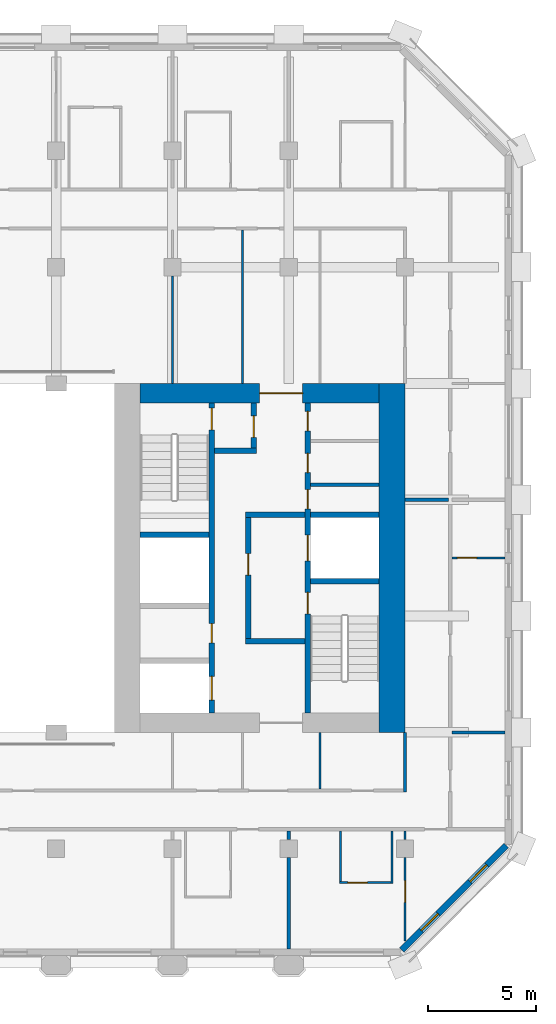
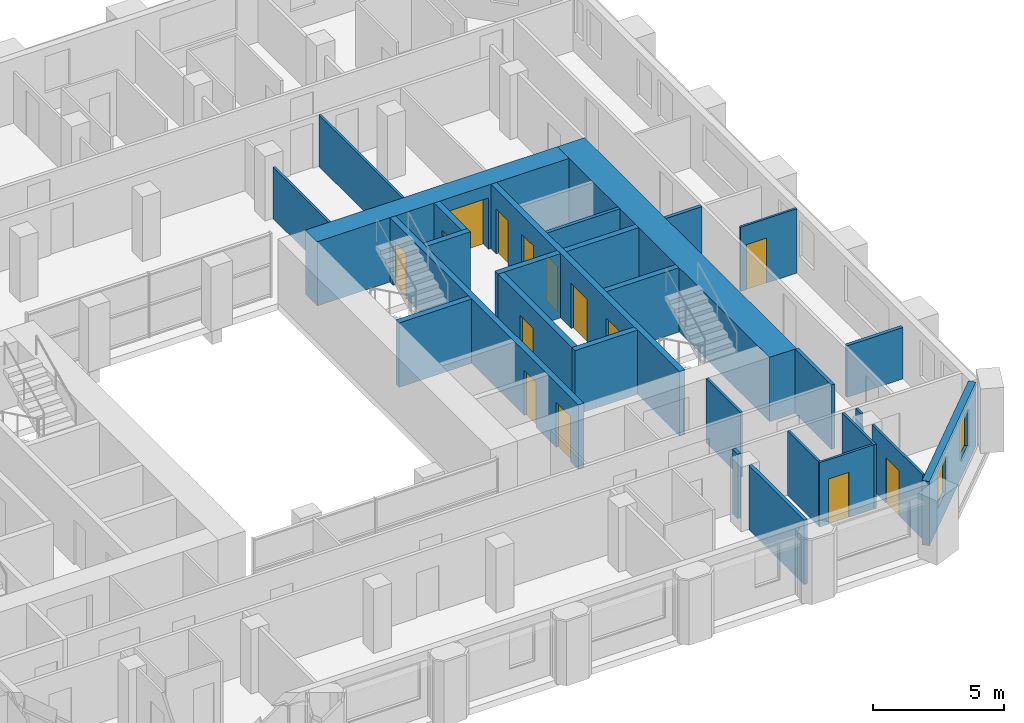
# One storey, part 6 of 12: 28 walls, 14 doors, 2 windows, 16 openings.
"""IFC4 building model written with IfcOpenShell, lengths in metres."""

from ifc_helpers import new_model, si_unit, direction, frame, frame_2d, origin, place, context, subcontext, project, spatial, rectangle, extrude, material, layer, layer_set, type_object, element, fill, save


model = new_model("IFC4")

# Units and contexts
model_context = context("Model", 3, precision=1e-05, world=origin(), true_north=direction((0.0, 1.0)))
body_context = subcontext(model_context, "Body", "Model", "MODEL_VIEW")
ifc_project = project(units=[si_unit("LENGTHUNIT", "METRE"), si_unit("AREAUNIT", "SQUARE_METRE"), si_unit("VOLUMEUNIT", "CUBIC_METRE"), si_unit("PLANEANGLEUNIT", "RADIAN"), si_unit("MASSUNIT", "GRAM", prefix="KILO")], contexts=[model_context])

# Site, building, storey
site_placement = place(None, origin())
site = spatial("IfcSite", under=ifc_project, at=site_placement, CompositionType="ELEMENT")
building_placement = place(site_placement, origin())
building = spatial("IfcBuilding", under=site, at=building_placement, Name="Tabaq Tower and Sports Hall", CompositionType="ELEMENT")
storey_placement = place(building_placement, frame((0.0, 0.0, 197.199951171875)))
storey = spatial("IfcBuildingStorey", under=building, at=storey_placement, Name="L48", CompositionType="ELEMENT", Elevation=197.199951171875)

# Walls
ifc_material_1 = material(Name="Blockwork", Category="masonry")
ifc_layer_1 = layer(ifc_material_1, 0.14990234375)
ifc_layer_set_1 = layer_set([ifc_layer_1], Name="Core room partition 150 Blockwork")
wall_type_1 = type_object("IfcWallType", Name="Core room partition 150 Blockwork", PredefinedType="PARTITIONING", material=ifc_layer_set_1)
wall_1_placement = place(storey_placement, frame((38.800048828125, 27.694091796875, 0.0), z_axis=(0.0, 0.0, 1.0), x_axis=(1.0, 0.0, 0.0)))
element("IfcWall", 1, at=wall_1_placement, inside=storey, type_object=wall_type_1, Name="Core room partition E L48", PredefinedType="PARTITIONING", context=body_context, shape_type="SweptSolid", body=[
    extrude(rectangle(XDim=3.199951171875, YDim=0.14990234375, at=frame_2d((1.60009765625, 0.0))), origin(), (0.0, 0.0, 1.0), 3.0),
])
ifc_material_2 = material(Name="Concrete C50/60", Category="concrete")
ifc_layer_2 = layer(ifc_material_2, 1.199951171875)
ifc_layer_set_2 = layer_set([ifc_layer_2], Name="Core wall 1200 Concrete C50/60")
wall_type_2 = type_object("IfcWallType", Name="Core wall 1200 Concrete C50/60", PredefinedType="SOLIDWALL", material=ifc_layer_set_2)
wall_2_placement = place(storey_placement, frame((42.60009765625, 32.39990234375, 0.0), z_axis=(0.0, 0.0, 1.0), x_axis=(0.0, -1.0, 0.0)))
element("IfcWall", 2, at=wall_2_placement, inside=storey, type_object=wall_type_2, Name="Core wall E L48", PredefinedType="SOLIDWALL", context=body_context, shape_type="SweptSolid", body=[
    extrude(rectangle(XDim=16.199951171875, YDim=1.199951171875, at=frame_2d((8.10009765625, 0.0))), origin(), (0.0, 0.0, 1.0), 3.0),
])

# Wall, opening, door
ifc_material_3 = material(Name="Concrete C50/60", Category="concrete")
ifc_layer_3 = layer(ifc_material_3, 0.89990234375)
ifc_layer_set_3 = layer_set([ifc_layer_3], Name="Core wall 900 Concrete C50/60")
wall_type_3 = type_object("IfcWallType", Name="Core wall 900 Concrete C50/60", PredefinedType="SOLIDWALL", material=ifc_layer_set_3)
wall_3_placement = place(storey_placement, frame((30.89990234375, 31.949951171875, 0.0), z_axis=(0.0, 0.0, 1.0), x_axis=(1.0, 0.0, 0.0)))
wall_3 = element("IfcWall", 3, at=wall_3_placement, inside=storey, type_object=wall_type_3, Name="Core wall E L48", PredefinedType="SOLIDWALL", context=body_context, shape_type="SweptSolid", body=[
    extrude(rectangle(XDim=11.10009765625, YDim=0.89990234375, at=frame_2d((5.550048828125, 0.0))), origin(), (0.0, 0.0, 1.0), 3.0),
])
opening_1_placement = place(wall_3_placement, frame((5.550048828125, 0.0, 0.0)))
opening_1 = element("IfcOpeningElement", 4, at=opening_1_placement, cuts=wall_3, Name="Opening PD-EL48-02", PredefinedType="OPENING", context=body_context, shape_type="SweptSolid", body=[
    extrude(rectangle(XDim=2.0, YDim=2.39990234375, at=frame_2d((1.0, 1.199951171875))), frame((0.0, 0.449951171875, 0.0), z_axis=(0.0, -1.0, 0.0), x_axis=(1.0, 0.0, 0.0)), (0.0, 0.0, 1.0), 0.89990234375),
])
ifc_material_4 = material(Name="Steel fire door", Category="steel")
door_type_1 = type_object("IfcDoorType", Name="Core entrance door 2000", OperationType="DOUBLE_DOOR_SINGLE_SWING", PredefinedType="DOOR", material=ifc_material_4)
door_1_placement = place(opening_1_placement, origin())
door_1 = element("IfcDoor", 5, at=door_1_placement, inside=storey, type_object=door_type_1, Name="Core entrance north E L48", OperationType="DOUBLE_DOOR_SINGLE_SWING", OverallHeight=2.39990234375, OverallWidth=2.0, PredefinedType="DOOR", context=body_context, shape_type="SweptSolid", body=[
    extrude(rectangle(XDim=2.0, YDim=2.39990234375, at=frame_2d((1.0, 1.199951171875))), frame((0.0, 0.02490234375, 0.0), z_axis=(0.0, -1.0, 0.0), x_axis=(1.0, 0.0, 0.0)), (0.0, 0.0, 1.0), 0.050048828125),
])
fill(opening_1, door_1)

# Walls
ifc_material_5 = material(Name="Gypsum board on steel studs", Category="steel")
ifc_layer_4 = layer(ifc_material_5, 0.10009765625)
ifc_layer_set_4 = layer_set([ifc_layer_4], Name="Partition 100 Gypsum board")
wall_type_4 = type_object("IfcWallType", Name="Partition 100 Gypsum board", PredefinedType="PARTITIONING", material=ifc_layer_set_4)
wall_4_placement = place(storey_placement, frame((32.39990234375, 32.39990234375, 0.0), z_axis=(0.0, 0.0, 1.0), x_axis=(0.0, 1.0, 0.0)))
element("IfcWall", 6, at=wall_4_placement, inside=storey, type_object=wall_type_4, Name="Partition wall L48", PredefinedType="PARTITIONING", context=body_context, shape_type="SweptSolid", body=[
    extrude(rectangle(XDim=4.97998046875, YDim=0.10009765625, at=frame_2d((2.489990234375, 0.0))), origin(), (0.0, 0.0, 1.0), 2.400146484375),
])
wall_5_placement = place(storey_placement, frame((35.64990234375, 39.52490234375, 0.0), z_axis=(0.0, 0.0, 1.0), x_axis=(0.0, -1.0, 0.0)))
element("IfcWall", 7, at=wall_5_placement, inside=storey, type_object=wall_type_4, Name="Partition wall L48", PredefinedType="PARTITIONING", context=body_context, shape_type="SweptSolid", body=[
    extrude(rectangle(XDim=7.125, YDim=0.10009765625, at=frame_2d((3.5625, 0.0))), origin(), (0.0, 0.0, 1.0), 2.400146484375),
])

# Wall, opening, door
wall_6_placement = place(storey_placement, frame((43.199951171875, 6.51220703125, 0.0), z_axis=(0.0, 0.0, 1.0), x_axis=(0.0, 1.0, 0.0)))
wall_6 = element("IfcWall", 8, at=wall_6_placement, inside=storey, type_object=wall_type_4, Name="Partition wall L48", PredefinedType="PARTITIONING", context=body_context, shape_type="SweptSolid", body=[
    extrude(rectangle(XDim=3.86767578125, YDim=0.10009765625, at=frame_2d((1.933837890625, 0.0))), origin(), (0.0, 0.0, 1.0), 3.0),
])
opening_2_placement = place(wall_6_placement, frame((1.80029296875, 0.0, 0.0)))
opening_2 = element("IfcOpeningElement", 9, at=opening_2_placement, cuts=wall_6, Name="Opening L48-037", PredefinedType="OPENING", context=body_context, shape_type="SweptSolid", body=[
    extrude(rectangle(XDim=1.0, YDim=2.10009765625, at=frame_2d((0.5, 1.050048828125))), frame((0.0, 0.050048828125, 0.0), z_axis=(0.0, -1.0, 0.0), x_axis=(1.0, 0.0, 0.0)), (0.0, 0.0, 1.0), 0.10009765625),
])
ifc_material_6 = material(Name="Timber leaf in steel frame", Category="steel")
door_type_2 = type_object("IfcDoorType", Name="Internal door 1000 left hand", OperationType="SINGLE_SWING_LEFT", PredefinedType="DOOR", material=ifc_material_6)
door_2_placement = place(opening_2_placement, origin())
door_2 = element("IfcDoor", 10, at=door_2_placement, inside=storey, type_object=door_type_2, Name="Internal door L48-037", OperationType="SINGLE_SWING_LEFT", OverallHeight=2.10009765625, OverallWidth=1.0, PredefinedType="DOOR", context=body_context, shape_type="SweptSolid", body=[
    extrude(rectangle(XDim=1.0, YDim=2.10009765625, at=frame_2d((0.5, 1.050048828125))), frame((0.0, 0.02490234375, 0.0), z_axis=(0.0, -1.0, 0.0), x_axis=(1.0, 0.0, 0.0)), (0.0, 0.0, 1.0), 0.050048828125),
])
fill(opening_2, door_2)

# Walls
wall_7_placement = place(storey_placement, frame((43.199951171875, 11.219970703125, 0.0), z_axis=(0.0, 0.0, 1.0), x_axis=(0.0, 1.0, 0.0)))
element("IfcWall", 11, at=wall_7_placement, inside=storey, type_object=wall_type_4, Name="Partition wall L48", PredefinedType="PARTITIONING", context=body_context, shape_type="SweptSolid", body=[
    extrude(rectangle(XDim=0.405029296875, YDim=0.10009765625, at=frame_2d((0.20263671875, 0.0))), origin(), (0.0, 0.0, 1.0), 3.0),
])
wall_8_placement = place(storey_placement, frame((42.60009765625, 11.625, 0.0), z_axis=(0.0, 0.0, 1.0), x_axis=(0.0, -1.0, 0.0)))
element("IfcWall", 12, at=wall_8_placement, inside=storey, type_object=wall_type_4, Name="Partition wall L48", PredefinedType="PARTITIONING", context=body_context, shape_type="SweptSolid", body=[
    extrude(rectangle(XDim=2.449951171875, YDim=0.10009765625, at=frame_2d((1.22509765625, 0.0))), origin(), (0.0, 0.0, 1.0), 3.0),
])

# Wall, opening, door
wall_9_placement = place(storey_placement, frame((42.550048828125, 9.22509765625, 0.0), z_axis=(0.0, 0.0, 1.0), x_axis=(-1.0, 0.0, 0.0)))
wall_9 = element("IfcWall", 13, at=wall_9_placement, inside=storey, type_object=wall_type_4, Name="Partition wall L48", PredefinedType="PARTITIONING", context=body_context, shape_type="SweptSolid", body=[
    extrude(rectangle(XDim=2.400146484375, YDim=0.10009765625, at=frame_2d((1.2001953125, 0.0))), origin(), (0.0, 0.0, 1.0), 3.0),
])
opening_3_placement = place(wall_9_placement, frame((1.10009765625, 0.0, 0.0)))
opening_3 = element("IfcOpeningElement", 14, at=opening_3_placement, cuts=wall_9, Name="Opening L48-017", PredefinedType="OPENING", context=body_context, shape_type="SweptSolid", body=[
    extrude(rectangle(XDim=0.89990234375, YDim=2.10009765625, at=frame_2d((0.449951171875, 1.050048828125))), frame((0.0, 0.050048828125, 0.0), z_axis=(0.0, -1.0, 0.0), x_axis=(1.0, 0.0, 0.0)), (0.0, 0.0, 1.0), 0.10009765625),
])
ifc_material_7 = material(Name="Timber leaf in steel frame", Category="steel")
door_type_3 = type_object("IfcDoorType", Name="Internal door 900 left hand", OperationType="SINGLE_SWING_LEFT", PredefinedType="DOOR", material=ifc_material_7)
door_3_placement = place(opening_3_placement, origin())
door_3 = element("IfcDoor", 15, at=door_3_placement, inside=storey, type_object=door_type_3, Name="Internal door L48-017", OperationType="SINGLE_SWING_LEFT", OverallHeight=2.10009765625, OverallWidth=0.89990234375, PredefinedType="DOOR", context=body_context, shape_type="SweptSolid", body=[
    extrude(rectangle(XDim=0.89990234375, YDim=2.10009765625, at=frame_2d((0.449951171875, 1.050048828125))), frame((0.0, 0.02490234375, 0.0), z_axis=(0.0, -1.0, 0.0), x_axis=(1.0, 0.0, 0.0)), (0.0, 0.0, 1.0), 0.050048828125),
])
fill(opening_3, door_3)

# Wall
wall_10_placement = place(storey_placement, frame((40.199951171875, 9.27490234375, 0.0), z_axis=(0.0, 0.0, 1.0), x_axis=(0.0, 1.0, 0.0)))
element("IfcWall", 16, at=wall_10_placement, inside=storey, type_object=wall_type_4, Name="Partition wall L48", PredefinedType="PARTITIONING", context=body_context, shape_type="SweptSolid", body=[
    extrude(rectangle(XDim=2.35009765625, YDim=0.10009765625, at=frame_2d((1.175048828125, 0.0))), origin(), (0.0, 0.0, 1.0), 3.0),
])

# Wall, opening, door
wall_11_placement = place(storey_placement, frame((47.84912109375, 24.300048828125, 0.0), z_axis=(0.0, 0.0, 1.0), x_axis=(-1.0, 0.0, 0.0)))
wall_11 = element("IfcWall", 17, at=wall_11_placement, inside=storey, type_object=wall_type_4, Name="Partition wall L48", PredefinedType="PARTITIONING", context=body_context, shape_type="SweptSolid", body=[
    extrude(rectangle(XDim=2.47412109375, YDim=0.10009765625, at=frame_2d((1.237060546875, 0.0))), origin(), (0.0, 0.0, 1.0), 3.0),
])
opening_4_placement = place(wall_11_placement, frame((1.323974609375, 0.0, 0.0)))
opening_4 = element("IfcOpeningElement", 18, at=opening_4_placement, cuts=wall_11, Name="Opening L48-020", PredefinedType="OPENING", context=body_context, shape_type="SweptSolid", body=[
    extrude(rectangle(XDim=0.89990234375, YDim=2.10009765625, at=frame_2d((0.449951171875, 1.050048828125))), frame((0.0, 0.050048828125, 0.0), z_axis=(0.0, -1.0, 0.0), x_axis=(1.0, 0.0, 0.0)), (0.0, 0.0, 1.0), 0.10009765625),
])
ifc_material_8 = material(Name="Timber leaf in steel frame", Category="steel")
door_type_4 = type_object("IfcDoorType", Name="Internal door 900 right hand", OperationType="SINGLE_SWING_RIGHT", PredefinedType="DOOR", material=ifc_material_8)
door_4_placement = place(opening_4_placement, origin())
door_4 = element("IfcDoor", 19, at=door_4_placement, inside=storey, type_object=door_type_4, Name="Internal door L48-020", OperationType="SINGLE_SWING_RIGHT", OverallHeight=2.10009765625, OverallWidth=0.89990234375, PredefinedType="DOOR", context=body_context, shape_type="SweptSolid", body=[
    extrude(rectangle(XDim=0.89990234375, YDim=2.10009765625, at=frame_2d((0.449951171875, 1.050048828125))), frame((0.0, 0.02490234375, 0.0), z_axis=(0.0, -1.0, 0.0), x_axis=(1.0, 0.0, 0.0)), (0.0, 0.0, 1.0), 0.050048828125),
])
fill(opening_4, door_4)

# Walls
wall_12_placement = place(storey_placement, frame((39.25, 13.574951171875, 0.0), z_axis=(0.0, 0.0, 1.0), x_axis=(0.0, 1.0, 0.0)))
element("IfcWall", 20, at=wall_12_placement, inside=storey, type_object=wall_type_4, Name="Partition wall L48", PredefinedType="PARTITIONING", context=body_context, shape_type="SweptSolid", body=[
    extrude(rectangle(XDim=2.625, YDim=0.10009765625, at=frame_2d((1.3125, 0.0))), origin(), (0.0, 0.0, 1.0), 3.0),
])
ifc_material_9 = material(Name="Blockwork", Category="masonry")
ifc_layer_5 = layer(ifc_material_9, 0.14990234375)
ifc_layer_set_5 = layer_set([ifc_layer_5], Name="Separating wall 150 Blockwork")
wall_type_5 = type_object("IfcWallType", Name="Separating wall 150 Blockwork", PredefinedType="PARTITIONING", material=ifc_layer_set_5)
wall_13_placement = place(storey_placement, frame((43.199951171875, 27.0, 0.0), z_axis=(0.0, 0.0, 1.0), x_axis=(1.0, 0.0, 0.0)))
element("IfcWall", 21, at=wall_13_placement, inside=storey, type_object=wall_type_5, Name="Separating wall L48", PredefinedType="PARTITIONING", context=body_context, shape_type="SweptSolid", body=[
    extrude(rectangle(XDim=2.025146484375, YDim=0.14990234375, at=frame_2d((1.0126953125, 0.0))), origin(), (0.0, 0.0, 1.0), 2.400146484375),
])
wall_14_placement = place(storey_placement, frame((47.84912109375, 16.199951171875, 0.0), z_axis=(0.0, 0.0, 1.0), x_axis=(-1.0, 0.0, 0.0)))
element("IfcWall", 22, at=wall_14_placement, inside=storey, type_object=wall_type_5, Name="Separating wall L48", PredefinedType="PARTITIONING", context=body_context, shape_type="SweptSolid", body=[
    extrude(rectangle(XDim=2.47412109375, YDim=0.14990234375, at=frame_2d((1.237060546875, 0.0))), origin(), (0.0, 0.0, 1.0), 2.400146484375),
])
wall_15_placement = place(storey_placement, frame((37.800048828125, 6.15087890625, 0.0), z_axis=(0.0, 0.0, 1.0), x_axis=(0.0, 1.0, 0.0)))
element("IfcWall", 23, at=wall_15_placement, inside=storey, type_object=wall_type_5, Name="Separating wall L48", PredefinedType="PARTITIONING", context=body_context, shape_type="SweptSolid", body=[
    extrude(rectangle(XDim=4.22900390625, YDim=0.14990234375, at=frame_2d((2.114501953125, 0.0))), origin(), (0.0, 0.0, 1.0), 3.0),
])
wall_16_placement = place(storey_placement, frame((37.800048828125, 11.219970703125, 0.0), z_axis=(0.0, 0.0, 1.0), x_axis=(0.0, 1.0, 0.0)))
element("IfcWall", 24, at=wall_16_placement, inside=storey, type_object=wall_type_5, Name="Separating wall L48", PredefinedType="PARTITIONING", context=body_context, shape_type="SweptSolid", body=[
    extrude(rectangle(XDim=0.405029296875, YDim=0.14990234375, at=frame_2d((0.20263671875, 0.0))), origin(), (0.0, 0.0, 1.0), 3.0),
])
wall_17_placement = place(storey_placement, frame((43.199951171875, 16.199951171875, 0.0), z_axis=(0.0, 0.0, 1.0), x_axis=(0.0, -1.0, 0.0)))
element("IfcWall", 25, at=wall_17_placement, inside=storey, type_object=wall_type_5, Name="Separating wall L48", PredefinedType="PARTITIONING", context=body_context, shape_type="SweptSolid", body=[
    extrude(rectangle(XDim=2.77490234375, YDim=0.14990234375, at=frame_2d((1.387451171875, 0.0))), origin(), (0.0, 0.0, 1.0), 3.0),
])

# Wall, openings, doors
ifc_material_10 = material(Name="Concrete C40/50", Category="concrete")
ifc_layer_6 = layer(ifc_material_10, 0.25)
ifc_layer_set_6 = layer_set([ifc_layer_6], Name="Shaft and stair wall 250 Concrete C40/50")
wall_type_6 = type_object("IfcWallType", Name="Shaft and stair wall 250 Concrete C40/50", PredefinedType="SOLIDWALL", material=ifc_layer_set_6)
wall_18_placement = place(storey_placement, frame((38.675048828125, 17.10009765625, 0.0), z_axis=(0.0, 0.0, 1.0), x_axis=(0.0, 1.0, 0.0)))
wall_18 = element("IfcWall", 26, at=wall_18_placement, inside=storey, type_object=wall_type_6, Name="Shaft wall E L48", PredefinedType="SOLIDWALL", context=body_context, shape_type="SweptSolid", body=[
    extrude(rectangle(XDim=14.39990234375, YDim=0.25, at=frame_2d((7.199951171875, 0.0))), origin(), (0.0, 0.0, 1.0), 3.0),
])
opening_5_placement = place(wall_18_placement, frame((4.60009765625, 0.0, 0.0)))
opening_5 = element("IfcOpeningElement", 27, at=opening_5_placement, cuts=wall_18, Name="Opening SD-EL48-03", PredefinedType="OPENING", context=body_context, shape_type="SweptSolid", body=[
    extrude(rectangle(XDim=1.0, YDim=2.10009765625, at=frame_2d((0.5, 1.050048828125))), frame((0.0, 0.125, 0.0), z_axis=(0.0, -1.0, 0.0), x_axis=(1.0, 0.0, 0.0)), (0.0, 0.0, 1.0), 0.25),
])
opening_6_placement = place(wall_18_placement, frame((7.0625, 0.0, 0.0)))
opening_6 = element("IfcOpeningElement", 28, at=opening_6_placement, cuts=wall_18, Name="Opening LD-FF2-L48", PredefinedType="OPENING", context=body_context, shape_type="SweptSolid", body=[
    extrude(rectangle(XDim=1.199951171875, YDim=2.10009765625, at=frame_2d((0.60009765625, 1.050048828125))), frame((0.0, 0.125, 0.0), z_axis=(0.0, -1.0, 0.0), x_axis=(1.0, 0.0, 0.0)), (0.0, 0.0, 1.0), 0.25),
])
opening_7_placement = place(wall_18_placement, frame((9.471923828125, 0.0, 0.0)))
opening_7 = element("IfcOpeningElement", 29, at=opening_7_placement, cuts=wall_18, Name="Opening RD-EL48-09", PredefinedType="OPENING", context=body_context, shape_type="SweptSolid", body=[
    extrude(rectangle(XDim=0.89990234375, YDim=2.10009765625, at=frame_2d((0.449951171875, 1.050048828125))), frame((0.0, 0.125, 0.0), z_axis=(0.0, -1.0, 0.0), x_axis=(1.0, 0.0, 0.0)), (0.0, 0.0, 1.0), 0.25),
])
opening_8_placement = place(wall_18_placement, frame((11.158935546875, 0.0, 0.0)))
opening_8 = element("IfcOpeningElement", 30, at=opening_8_placement, cuts=wall_18, Name="Opening RD-EL48-10", PredefinedType="OPENING", context=body_context, shape_type="SweptSolid", body=[
    extrude(rectangle(XDim=0.89990234375, YDim=2.10009765625, at=frame_2d((0.449951171875, 1.050048828125))), frame((0.0, 0.125, 0.0), z_axis=(0.0, -1.0, 0.0), x_axis=(1.0, 0.0, 0.0)), (0.0, 0.0, 1.0), 0.25),
])
opening_9_placement = place(wall_18_placement, frame((13.099609375, 0.0, 0.0)))
opening_9 = element("IfcOpeningElement", 31, at=opening_9_placement, cuts=wall_18, Name="Opening RD-EL48-11", PredefinedType="OPENING", context=body_context, shape_type="SweptSolid", body=[
    extrude(rectangle(XDim=0.89990234375, YDim=2.10009765625, at=frame_2d((0.449951171875, 1.050048828125))), frame((0.0, 0.125, 0.0), z_axis=(0.0, -1.0, 0.0), x_axis=(1.0, 0.0, 0.0)), (0.0, 0.0, 1.0), 0.25),
])
ifc_material_11 = material(Name="Steel fire door", Category="steel")
door_type_5 = type_object("IfcDoorType", Name="Core room door 900", OperationType="SINGLE_SWING_LEFT", PredefinedType="DOOR", material=ifc_material_11)
door_5_placement = place(opening_7_placement, origin())
door_5 = element("IfcDoor", 32, at=door_5_placement, inside=storey, type_object=door_type_5, Name="Door Electrical Riser Room E L48", OperationType="SINGLE_SWING_LEFT", OverallHeight=2.10009765625, OverallWidth=0.89990234375, PredefinedType="DOOR", context=body_context, shape_type="SweptSolid", body=[
    extrude(rectangle(XDim=0.89990234375, YDim=2.10009765625, at=frame_2d((0.449951171875, 1.050048828125))), frame((0.0, 0.02490234375, 0.0), z_axis=(0.0, -1.0, 0.0), x_axis=(1.0, 0.0, 0.0)), (0.0, 0.0, 1.0), 0.050048828125),
])
fill(opening_7, door_5)
door_6_placement = place(opening_8_placement, origin())
door_6 = element("IfcDoor", 33, at=door_6_placement, inside=storey, type_object=door_type_5, Name="Door Unisex WC E L48", OperationType="SINGLE_SWING_LEFT", OverallHeight=2.10009765625, OverallWidth=0.89990234375, PredefinedType="DOOR", context=body_context, shape_type="SweptSolid", body=[
    extrude(rectangle(XDim=0.89990234375, YDim=2.10009765625, at=frame_2d((0.449951171875, 1.050048828125))), frame((0.0, 0.02490234375, 0.0), z_axis=(0.0, -1.0, 0.0), x_axis=(1.0, 0.0, 0.0)), (0.0, 0.0, 1.0), 0.050048828125),
])
fill(opening_8, door_6)
door_7_placement = place(opening_9_placement, origin())
door_7 = element("IfcDoor", 34, at=door_7_placement, inside=storey, type_object=door_type_5, Name="Door Accessible WC E L48", OperationType="SINGLE_SWING_LEFT", OverallHeight=2.10009765625, OverallWidth=0.89990234375, PredefinedType="DOOR", context=body_context, shape_type="SweptSolid", body=[
    extrude(rectangle(XDim=0.89990234375, YDim=2.10009765625, at=frame_2d((0.449951171875, 1.050048828125))), frame((0.0, 0.02490234375, 0.0), z_axis=(0.0, -1.0, 0.0), x_axis=(1.0, 0.0, 0.0)), (0.0, 0.0, 1.0), 0.050048828125),
])
fill(opening_9, door_7)
ifc_material_12 = material(Name="Stainless steel", Category="steel")
door_type_6 = type_object("IfcDoorType", Name="Lift landing door 1200", OperationType="DOUBLE_DOOR_SLIDING", PredefinedType="DOOR", material=ifc_material_12)
door_8_placement = place(opening_6_placement, origin())
door_8 = element("IfcDoor", 35, at=door_8_placement, inside=storey, type_object=door_type_6, Name="Lift landing door FF2 E L48", OperationType="DOUBLE_DOOR_SLIDING", OverallHeight=2.10009765625, OverallWidth=1.199951171875, PredefinedType="DOOR", context=body_context, shape_type="SweptSolid", body=[
    extrude(rectangle(XDim=1.199951171875, YDim=2.10009765625, at=frame_2d((0.60009765625, 1.050048828125))), frame((0.0, 0.02490234375, 0.0), z_axis=(0.0, -1.0, 0.0), x_axis=(1.0, 0.0, 0.0)), (0.0, 0.0, 1.0), 0.050048828125),
])
fill(opening_6, door_8)
ifc_material_13 = material(Name="Steel fire door", Category="steel")
door_type_7 = type_object("IfcDoorType", Name="Stair door 1000", OperationType="SINGLE_SWING_LEFT", PredefinedType="DOOR", material=ifc_material_13)
door_9_placement = place(opening_5_placement, origin())
door_9 = element("IfcDoor", 36, at=door_9_placement, inside=storey, type_object=door_type_7, Name="Stair door ST3 E L48", OperationType="SINGLE_SWING_LEFT", OverallHeight=2.10009765625, OverallWidth=1.0, PredefinedType="DOOR", context=body_context, shape_type="SweptSolid", body=[
    extrude(rectangle(XDim=1.0, YDim=2.10009765625, at=frame_2d((0.5, 1.050048828125))), frame((0.0, 0.02490234375, 0.0), z_axis=(0.0, -1.0, 0.0), x_axis=(1.0, 0.0, 0.0)), (0.0, 0.0, 1.0), 0.050048828125),
])
fill(opening_5, door_9)

wall_19_placement = place(storey_placement, frame((34.22509765625, 17.10009765625, 0.0), z_axis=(0.0, 0.0, 1.0), x_axis=(0.0, 1.0, 0.0)))
wall_19 = element("IfcWall", 37, at=wall_19_placement, inside=storey, type_object=wall_type_6, Name="Shaft wall E L48", PredefinedType="SOLIDWALL", context=body_context, shape_type="SweptSolid", body=[
    extrude(rectangle(XDim=14.39990234375, YDim=0.25, at=frame_2d((7.199951171875, 0.0))), origin(), (0.0, 0.0, 1.0), 3.0),
])
opening_10_placement = place(wall_19_placement, frame((13.14990234375, 0.0, 0.0)))
opening_10 = element("IfcOpeningElement", 38, at=opening_10_placement, cuts=wall_19, Name="Opening SD-EL48-05", PredefinedType="OPENING", context=body_context, shape_type="SweptSolid", body=[
    extrude(rectangle(XDim=1.0, YDim=2.10009765625, at=frame_2d((0.5, 1.050048828125))), frame((0.0, 0.125, 0.0), z_axis=(0.0, -1.0, 0.0), x_axis=(1.0, 0.0, 0.0)), (0.0, 0.0, 1.0), 0.25),
])
opening_11_placement = place(wall_19_placement, frame((0.60009765625, 0.0, 0.0)))
opening_11 = element("IfcOpeningElement", 39, at=opening_11_placement, cuts=wall_19, Name="Opening LD-MR2-L48", PredefinedType="OPENING", context=body_context, shape_type="SweptSolid", body=[
    extrude(rectangle(XDim=1.10009765625, YDim=2.10009765625, at=frame_2d((0.550048828125, 1.050048828125))), frame((0.0, 0.125, 0.0), z_axis=(0.0, -1.0, 0.0), x_axis=(1.0, 0.0, 0.0)), (0.0, 0.0, 1.0), 0.25),
])
opening_12_placement = place(wall_19_placement, frame((3.25, 0.0, 0.0)))
opening_12 = element("IfcOpeningElement", 40, at=opening_12_placement, cuts=wall_19, Name="Opening RD-EL48-12", PredefinedType="OPENING", context=body_context, shape_type="SweptSolid", body=[
    extrude(rectangle(XDim=0.89990234375, YDim=2.10009765625, at=frame_2d((0.449951171875, 1.050048828125))), frame((0.0, 0.125, 0.0), z_axis=(0.0, -1.0, 0.0), x_axis=(1.0, 0.0, 0.0)), (0.0, 0.0, 1.0), 0.25),
])
door_10_placement = place(opening_12_placement, origin())
door_10 = element("IfcDoor", 41, at=door_10_placement, inside=storey, type_object=door_type_5, Name="Door Cleaner's Store E L48", OperationType="SINGLE_SWING_LEFT", OverallHeight=2.10009765625, OverallWidth=0.89990234375, PredefinedType="DOOR", context=body_context, shape_type="SweptSolid", body=[
    extrude(rectangle(XDim=0.89990234375, YDim=2.10009765625, at=frame_2d((0.449951171875, 1.050048828125))), frame((0.0, 0.02490234375, 0.0), z_axis=(0.0, -1.0, 0.0), x_axis=(1.0, 0.0, 0.0)), (0.0, 0.0, 1.0), 0.050048828125),
])
fill(opening_12, door_10)
ifc_material_14 = material(Name="Stainless steel", Category="steel")
door_type_8 = type_object("IfcDoorType", Name="Lift landing door 1100", OperationType="DOUBLE_DOOR_SLIDING", PredefinedType="DOOR", material=ifc_material_14)
door_11_placement = place(opening_11_placement, origin())
door_11 = element("IfcDoor", 42, at=door_11_placement, inside=storey, type_object=door_type_8, Name="Lift landing door MR2 E L48", OperationType="DOUBLE_DOOR_SLIDING", OverallHeight=2.10009765625, OverallWidth=1.10009765625, PredefinedType="DOOR", context=body_context, shape_type="SweptSolid", body=[
    extrude(rectangle(XDim=1.10009765625, YDim=2.10009765625, at=frame_2d((0.550048828125, 1.050048828125))), frame((0.0, 0.02490234375, 0.0), z_axis=(0.0, -1.0, 0.0), x_axis=(1.0, 0.0, 0.0)), (0.0, 0.0, 1.0), 0.050048828125),
])
fill(opening_11, door_11)
door_12_placement = place(opening_10_placement, origin())
door_12 = element("IfcDoor", 43, at=door_12_placement, inside=storey, type_object=door_type_7, Name="Stair door ST4 E L48", OperationType="SINGLE_SWING_LEFT", OverallHeight=2.10009765625, OverallWidth=1.0, PredefinedType="DOOR", context=body_context, shape_type="SweptSolid", body=[
    extrude(rectangle(XDim=1.0, YDim=2.10009765625, at=frame_2d((0.5, 1.050048828125))), frame((0.0, 0.02490234375, 0.0), z_axis=(0.0, -1.0, 0.0), x_axis=(1.0, 0.0, 0.0)), (0.0, 0.0, 1.0), 0.050048828125),
])
fill(opening_10, door_12)

# Walls
wall_20_placement = place(storey_placement, frame((38.800048828125, 23.22509765625, 0.0), z_axis=(0.0, 0.0, 1.0), x_axis=(1.0, 0.0, 0.0)))
element("IfcWall", 44, at=wall_20_placement, inside=storey, type_object=wall_type_6, Name="Stair enclosure wall E L48", PredefinedType="SOLIDWALL", context=body_context, shape_type="SweptSolid", body=[
    extrude(rectangle(XDim=3.199951171875, YDim=0.25, at=frame_2d((1.60009765625, 0.0))), origin(), (0.0, 0.0, 1.0), 3.0),
])
wall_21_placement = place(storey_placement, frame((30.89990234375, 25.375, 0.0), z_axis=(0.0, 0.0, 1.0), x_axis=(1.0, 0.0, 0.0)))
element("IfcWall", 45, at=wall_21_placement, inside=storey, type_object=wall_type_6, Name="Stair enclosure wall E L48", PredefinedType="SOLIDWALL", context=body_context, shape_type="SweptSolid", body=[
    extrude(rectangle(XDim=3.2001953125, YDim=0.25, at=frame_2d((1.60009765625, 0.0))), origin(), (0.0, 0.0, 1.0), 3.0),
])
wall_22_placement = place(storey_placement, frame((38.800048828125, 26.300048828125, 0.0), z_axis=(0.0, 0.0, 1.0), x_axis=(1.0, 0.0, 0.0)))
element("IfcWall", 46, at=wall_22_placement, inside=storey, type_object=wall_type_6, Name="Shaft wall E L48", PredefinedType="SOLIDWALL", context=body_context, shape_type="SweptSolid", body=[
    extrude(rectangle(XDim=3.199951171875, YDim=0.25, at=frame_2d((1.60009765625, 0.0))), origin(), (0.0, 0.0, 1.0), 3.0),
])
for number, where, z_axis, x_axis, name in (
    (47, (35.800048828125, 26.300048828125, 0.0), (0.0, 0.0, 1.0), (1.0, 0.0, 0.0), "Fire-fighting lobby wall E L48"),
    (48, (35.800048828125, 20.425048828125, 0.0), (0.0, 0.0, 1.0), (1.0, 0.0, 0.0), "Fire-fighting lobby wall E L48"),
):
    element("IfcWall", number, at=place(storey_placement, frame(where, z_axis=z_axis, x_axis=x_axis)), inside=storey, type_object=wall_type_6, Name=name, PredefinedType="SOLIDWALL", context=body_context, shape_type="SweptSolid", body=[
        extrude(rectangle(XDim=2.75, YDim=0.25, at=frame_2d((1.375, 0.0))), origin(), (0.0, 0.0, 1.0), 3.0),
    ])

# Wall, opening, door
wall_23_placement = place(storey_placement, frame((36.175048828125, 29.39990234375, 0.0), z_axis=(0.0, 0.0, 1.0), x_axis=(0.0, 1.0, 0.0)))
wall_23 = element("IfcWall", 49, at=wall_23_placement, inside=storey, type_object=wall_type_6, Name="Fire-fighting lobby wall E L48", PredefinedType="SOLIDWALL", context=body_context, shape_type="SweptSolid", body=[
    extrude(rectangle(XDim=2.10009765625, YDim=0.25, at=frame_2d((1.050048828125, 0.0))), origin(), (0.0, 0.0, 1.0), 3.0),
])
opening_13_placement = place(wall_23_placement, frame((0.5, 0.0, 0.0)))
opening_13 = element("IfcOpeningElement", 50, at=opening_13_placement, cuts=wall_23, Name="Opening FD-EL48-06", PredefinedType="OPENING", context=body_context, shape_type="SweptSolid", body=[
    extrude(rectangle(XDim=1.0, YDim=2.10009765625, at=frame_2d((0.5, 1.050048828125))), frame((0.0, 0.125, 0.0), z_axis=(0.0, -1.0, 0.0), x_axis=(1.0, 0.0, 0.0)), (0.0, 0.0, 1.0), 0.25),
])
ifc_material_15 = material(Name="Steel fire door", Category="steel")
door_type_9 = type_object("IfcDoorType", Name="Fire-fighting lobby door 1000", OperationType="SINGLE_SWING_LEFT", PredefinedType="DOOR", material=ifc_material_15)
door_13_placement = place(opening_13_placement, origin())
door_13 = element("IfcDoor", 51, at=door_13_placement, inside=storey, type_object=door_type_9, Name="Stair lobby door E L48", OperationType="SINGLE_SWING_LEFT", OverallHeight=2.10009765625, OverallWidth=1.0, PredefinedType="DOOR", context=body_context, shape_type="SweptSolid", body=[
    extrude(rectangle(XDim=1.0, YDim=2.10009765625, at=frame_2d((0.5, 1.050048828125))), frame((0.0, 0.02490234375, 0.0), z_axis=(0.0, -1.0, 0.0), x_axis=(1.0, 0.0, 0.0)), (0.0, 0.0, 1.0), 0.050048828125),
])
fill(opening_13, door_13)

# Wall
wall_24_placement = place(storey_placement, frame((34.35009765625, 29.27490234375, 0.0), z_axis=(0.0, 0.0, 1.0), x_axis=(1.0, 0.0, 0.0)))
element("IfcWall", 52, at=wall_24_placement, inside=storey, type_object=wall_type_6, Name="Fire-fighting lobby wall E L48", PredefinedType="SOLIDWALL", context=body_context, shape_type="SweptSolid", body=[
    extrude(rectangle(XDim=1.949951171875, YDim=0.25, at=frame_2d((0.97509765625, 0.0))), origin(), (0.0, 0.0, 1.0), 3.0),
])

# Wall, opening, door
wall_25_placement = place(storey_placement, frame((35.925048828125, 20.550048828125, 0.0), z_axis=(0.0, 0.0, 1.0), x_axis=(0.0, 1.0, 0.0)))
wall_25 = element("IfcWall", 53, at=wall_25_placement, inside=storey, type_object=wall_type_6, Name="Fire-fighting lobby wall E L48", PredefinedType="SOLIDWALL", context=body_context, shape_type="SweptSolid", body=[
    extrude(rectangle(XDim=5.625, YDim=0.25, at=frame_2d((2.8125, 0.0))), origin(), (0.0, 0.0, 1.0), 3.0),
])
opening_14_placement = place(wall_25_placement, frame((2.949951171875, 0.0, 0.0)))
opening_14 = element("IfcOpeningElement", 54, at=opening_14_placement, cuts=wall_25, Name="Opening FD-EL48-04", PredefinedType="OPENING", context=body_context, shape_type="SweptSolid", body=[
    extrude(rectangle(XDim=1.0, YDim=2.10009765625, at=frame_2d((0.5, 1.050048828125))), frame((0.0, 0.125, 0.0), z_axis=(0.0, -1.0, 0.0), x_axis=(1.0, 0.0, 0.0)), (0.0, 0.0, 1.0), 0.25),
])
door_14_placement = place(opening_14_placement, origin())
door_14 = element("IfcDoor", 55, at=door_14_placement, inside=storey, type_object=door_type_9, Name="Fire-fighting lobby door E L48", OperationType="SINGLE_SWING_LEFT", OverallHeight=2.10009765625, OverallWidth=1.0, PredefinedType="DOOR", context=body_context, shape_type="SweptSolid", body=[
    extrude(rectangle(XDim=1.0, YDim=2.10009765625, at=frame_2d((0.5, 1.050048828125))), frame((0.0, 0.02490234375, 0.0), z_axis=(0.0, -1.0, 0.0), x_axis=(1.0, 0.0, 0.0)), (0.0, 0.0, 1.0), 0.050048828125),
])
fill(opening_14, door_14)

# Wall, openings, windows
ifc_material_16 = material(Name="White precast concrete C60/75", Category="concrete")
ifc_layer_7 = layer(ifc_material_16, 0.300048828125)
ifc_layer_set_7 = layer_set([ifc_layer_7], Name="White precast concrete C60/75 external wall 300")
wall_type_7 = type_object("IfcWallType", Name="White precast concrete C60/75 external wall 300", PredefinedType="SOLIDWALL", material=ifc_layer_set_7)
wall_26_placement = place(storey_placement, frame((43.050537109375, 6.098876953125, 0.0), z_axis=(0.0, 0.0, 1.0), x_axis=(0.707106781187, 0.707106781187, 0.0)))
wall_26 = element("IfcWall", 56, at=wall_26_placement, inside=storey, type_object=wall_type_7, Name="External Wall L48 SE", PredefinedType="SOLIDWALL", context=body_context, shape_type="SweptSolid", body=[
    extrude(rectangle(XDim=6.85986328125, YDim=0.300048828125, at=frame_2d((3.429931640625, 0.0))), origin(), (0.0, 0.0, 1.0), 3.0),
])
opening_15_placement = place(wall_26_placement, frame((1.27978515625, 0.0, 0.89990234375)))
opening_15 = element("IfcOpeningElement", 57, at=opening_15_placement, cuts=wall_26, Name="Opening W1B", PredefinedType="OPENING", context=body_context, shape_type="SweptSolid", body=[
    extrude(rectangle(XDim=1.10009765625, YDim=1.699951171875, at=frame_2d((0.550048828125, 0.85009765625))), frame((0.0, 0.16015625, 0.0), z_axis=(0.0, -1.0, 0.0), x_axis=(1.0, 0.0, 0.0)), (0.0, 0.0, 1.0), 0.320068359375),
])
opening_16_placement = place(wall_26_placement, frame((4.479736328125, 0.0, 0.89990234375)))
opening_16 = element("IfcOpeningElement", 58, at=opening_16_placement, cuts=wall_26, Name="Opening W1B", PredefinedType="OPENING", context=body_context, shape_type="SweptSolid", body=[
    extrude(rectangle(XDim=1.10009765625, YDim=1.699951171875, at=frame_2d((0.550048828125, 0.85009765625))), frame((0.0, 0.16015625, 0.0), z_axis=(0.0, -1.0, 0.0), x_axis=(1.0, 0.0, 0.0)), (0.0, 0.0, 1.0), 0.320068359375),
])
ifc_material_17 = material(Name="Aluminium framed clear glazing", Category="aluminium")
window_type = type_object("IfcWindowType", Name="Window W1B", PartitioningType="SINGLE_PANEL", PredefinedType="WINDOW", material=ifc_material_17)
window_1_placement = place(opening_15_placement, origin())
window_1 = element("IfcWindow", 59, at=window_1_placement, inside=storey, type_object=window_type, Name="Window W1B L48", OverallHeight=1.699951171875, OverallWidth=1.10009765625, PartitioningType="SINGLE_PANEL", PredefinedType="WINDOW", context=body_context, shape_type="SweptSolid", body=[
    extrude(rectangle(XDim=1.10009765625, YDim=1.699951171875, at=frame_2d((0.550048828125, 0.85009765625))), frame((0.0, 0.030029296875, 0.0), z_axis=(0.0, -1.0, 0.0), x_axis=(1.0, 0.0, 0.0)), (0.0, 0.0, 1.0), 0.06005859375),
])
fill(opening_15, window_1)
window_2_placement = place(opening_16_placement, origin())
window_2 = element("IfcWindow", 60, at=window_2_placement, inside=storey, type_object=window_type, Name="Window W1B L48", OverallHeight=1.699951171875, OverallWidth=1.10009765625, PartitioningType="SINGLE_PANEL", PredefinedType="WINDOW", context=body_context, shape_type="SweptSolid", body=[
    extrude(rectangle(XDim=1.10009765625, YDim=1.699951171875, at=frame_2d((0.550048828125, 0.85009765625))), frame((0.0, 0.030029296875, 0.0), z_axis=(0.0, -1.0, 0.0), x_axis=(1.0, 0.0, 0.0)), (0.0, 0.0, 1.0), 0.06005859375),
])
fill(opening_16, window_2)

save(model, "model.ifc")
